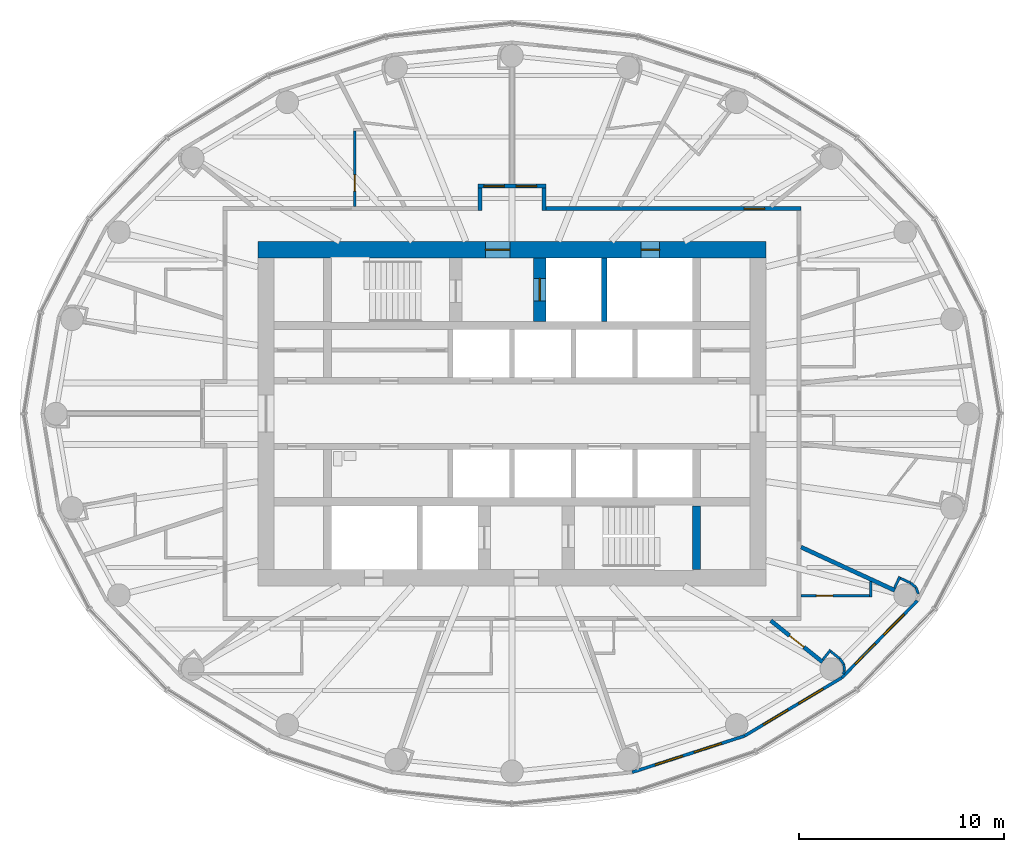
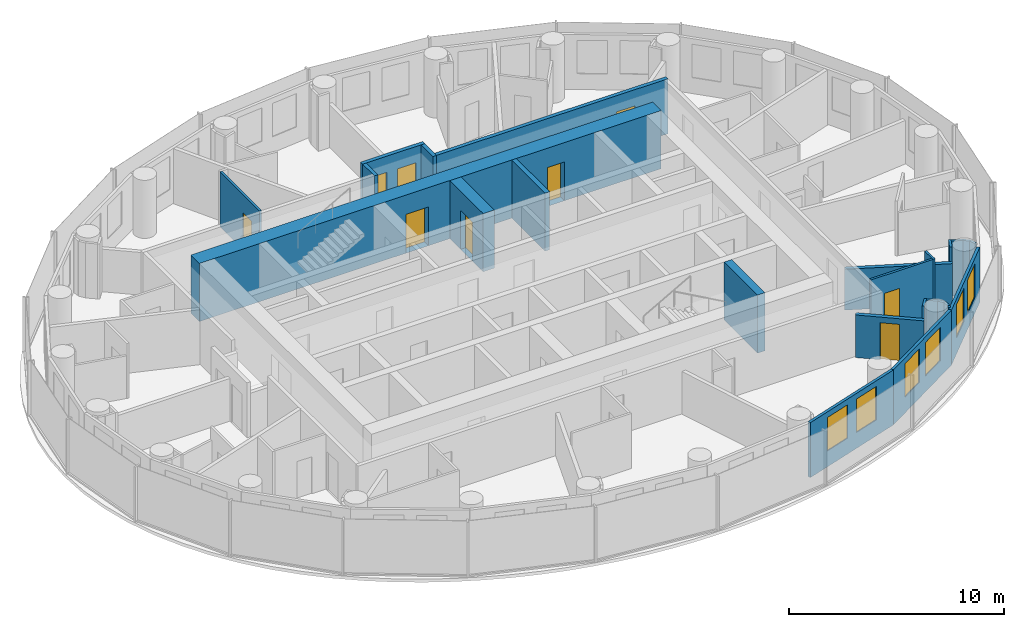
# One storey, part 10 of 16: 25 walls, 9 doors, 6 windows, 15 openings.
"""IFC4 building model written with IfcOpenShell, lengths in metres."""

from ifc_helpers import new_model, si_unit, direction, frame, frame_2d, origin, place, context, subcontext, project, spatial, rectangle, extrude, material, layer, layer_set, type_object, element, fill, save


model = new_model("IFC4")

# Units and contexts
model_context = context("Model", 3, precision=1e-05, world=origin(), true_north=direction((0.0, 1.0)))
body_context = subcontext(model_context, "Body", "Model", "MODEL_VIEW")
ifc_project = project(units=[si_unit("LENGTHUNIT", "METRE"), si_unit("AREAUNIT", "SQUARE_METRE"), si_unit("VOLUMEUNIT", "CUBIC_METRE"), si_unit("PLANEANGLEUNIT", "RADIAN"), si_unit("MASSUNIT", "GRAM", prefix="KILO")], contexts=[model_context])

# Site, building, storey
site_placement = place(None, origin())
site = spatial("IfcSite", under=ifc_project, at=site_placement, CompositionType="ELEMENT")
building_placement = place(site_placement, origin())
building = spatial("IfcBuilding", under=site, at=building_placement, Name="Hankou Lantern Tower", CompositionType="ELEMENT")
storey_placement = place(building_placement, frame((0.0, 0.0, 173.10009765625)))
storey = spatial("IfcBuildingStorey", under=building, at=storey_placement, Name="L46", CompositionType="ELEMENT", Elevation=173.10009765625)

# Wall, openings, doors
ifc_material_1 = material(Name="Concrete C60", Category="concrete")
ifc_layer_1 = layer(ifc_material_1, 0.800048828125)
ifc_layer_set_1 = layer_set([ifc_layer_1], Name="Concrete C60")
wall_type_1 = type_object("IfcWallType", Name="CW2 CORE WALL 800", PredefinedType="SHEAR", material=ifc_layer_set_1)
wall_1_placement = place(storey_placement, frame((-12.39990234375, 8.0, 0.0), z_axis=(0.0, 0.0, 1.0), x_axis=(1.0, 0.0, 0.0)))
wall_1 = element("IfcWall", 1, at=wall_1_placement, inside=storey, type_object=wall_type_1, Name="Core wall north L46", PredefinedType="SHEAR", context=body_context, shape_type="SweptSolid", body=[
    extrude(rectangle(XDim=24.7998046875, YDim=0.800048828125, at=frame_2d((12.39990234375, 0.0))), origin(), (0.0, 0.0, 1.0), 3.2998046875),
])
opening_1_placement = place(wall_1_placement, frame((11.10009765625, 0.0, 0.0)))
opening_1 = element("IfcOpeningElement", 2, at=opening_1_placement, cuts=wall_1, Name="Opening D5", PredefinedType="OPENING", context=body_context, shape_type="SweptSolid", body=[
    extrude(rectangle(XDim=1.199951171875, YDim=2.199951171875, at=frame_2d((0.60009765625, 1.10009765625))), frame((0.0, 0.409912109375, 0.0), z_axis=(0.0, -1.0, 0.0), x_axis=(1.0, 0.0, 0.0)), (0.0, 0.0, 1.0), 0.820068359375),
])
opening_2_placement = place(wall_1_placement, frame((18.699951171875, 0.0, 0.0)))
opening_2 = element("IfcOpeningElement", 3, at=opening_2_placement, cuts=wall_1, Name="Opening D7", PredefinedType="OPENING", context=body_context, shape_type="SweptSolid", body=[
    extrude(rectangle(XDim=0.89990234375, YDim=2.199951171875, at=frame_2d((0.449951171875, 1.10009765625))), frame((0.0, 0.409912109375, 0.0), z_axis=(0.0, -1.0, 0.0), x_axis=(1.0, 0.0, 0.0)), (0.0, 0.0, 1.0), 0.820068359375),
])
ifc_material_2 = material(Name="Steel door leaf", Category="steel")
door_type_1 = type_object("IfcDoorType", Name="D5 STAIR LOBBY DOOR 1200X2200", OperationType="SINGLE_SWING_LEFT", PredefinedType="DOOR", material=ifc_material_2)
door_1_placement = place(opening_1_placement, origin())
door_1 = element("IfcDoor", 4, at=door_1_placement, inside=storey, type_object=door_type_1, Name="Stair A lobby door", OperationType="SINGLE_SWING_LEFT", OverallHeight=2.199951171875, OverallWidth=1.199951171875, PredefinedType="DOOR", context=body_context, shape_type="SweptSolid", body=[
    extrude(rectangle(XDim=1.199951171875, YDim=2.199951171875, at=frame_2d((0.60009765625, 1.10009765625))), frame((0.0, 0.02490234375, 0.0), z_axis=(0.0, -1.0, 0.0), x_axis=(1.0, 0.0, 0.0)), (0.0, 0.0, 1.0), 0.050048828125),
])
fill(opening_1, door_1)
ifc_material_3 = material(Name="Steel door leaf", Category="steel")
door_type_2 = type_object("IfcDoorType", Name="D7 RISER DOOR 900X2200", OperationType="SINGLE_SWING_LEFT", PredefinedType="DOOR", material=ifc_material_3)
door_2_placement = place(opening_2_placement, origin())
door_2 = element("IfcDoor", 5, at=door_2_placement, inside=storey, type_object=door_type_2, Name="Riser N1 door", OperationType="SINGLE_SWING_RIGHT", OverallHeight=2.199951171875, OverallWidth=0.89990234375, PredefinedType="DOOR", context=body_context, shape_type="SweptSolid", body=[
    extrude(rectangle(XDim=0.89990234375, YDim=2.199951171875, at=frame_2d((0.449951171875, 1.10009765625))), frame((0.0, 0.02490234375, 0.0), z_axis=(0.0, -1.0, 0.0), x_axis=(1.0, 0.0, 0.0)), (0.0, 0.0, 1.0), 0.050048828125),
])
fill(opening_2, door_2)

# Wall
ifc_material_4 = material(Name="Concrete C60", Category="concrete")
ifc_layer_2 = layer(ifc_material_4, 0.39990234375)
ifc_layer_set_2 = layer_set([ifc_layer_2], Name="Concrete C60")
wall_type_2 = type_object("IfcWallType", Name="CW4 CORE CROSS WALL 400", PredefinedType="SHEAR", material=ifc_layer_set_2)
wall_2_placement = place(storey_placement, frame((9.0, -7.60009765625, 0.0), z_axis=(0.0, 0.0, 1.0), x_axis=(0.0, 1.0, 0.0)))
element("IfcWall", 6, at=wall_2_placement, inside=storey, type_object=wall_type_2, Name="Core strip wall L46", PredefinedType="SHEAR", context=body_context, shape_type="SweptSolid", body=[
    extrude(rectangle(XDim=3.10009765625, YDim=0.39990234375, at=frame_2d((1.550048828125, 0.0))), origin(), (0.0, 0.0, 1.0), 3.2998046875),
])

# Wall, opening, door
ifc_material_5 = material(Name="Concrete C60", Category="concrete")
ifc_layer_3 = layer(ifc_material_5, 0.60009765625)
ifc_layer_set_3 = layer_set([ifc_layer_3], Name="Concrete C60")
wall_type_3 = type_object("IfcWallType", Name="CW6 STAIR AND SHAFT WALL 600", PredefinedType="SHEAR", material=ifc_layer_set_3)
wall_3_placement = place(storey_placement, frame((1.35009765625, 4.5, 0.0), z_axis=(0.0, 0.0, 1.0), x_axis=(0.0, 1.0, 0.0)))
wall_3 = element("IfcWall", 7, at=wall_3_placement, inside=storey, type_object=wall_type_3, Name="Firefighting lift shaft wall L46", PredefinedType="SHEAR", context=body_context, shape_type="SweptSolid", body=[
    extrude(rectangle(XDim=3.10009765625, YDim=0.60009765625, at=frame_2d((1.550048828125, 0.0))), origin(), (0.0, 0.0, 1.0), 3.2998046875),
])
opening_3_placement = place(wall_3_placement, frame((1.0, 0.0, 0.0)))
opening_3 = element("IfcOpeningElement", 8, at=opening_3_placement, cuts=wall_3, Name="Opening LD2", PredefinedType="OPENING", context=body_context, shape_type="SweptSolid", body=[
    extrude(rectangle(XDim=1.10009765625, YDim=2.199951171875, at=frame_2d((0.550048828125, 1.10009765625))), frame((0.0, 0.31005859375, 0.0), z_axis=(0.0, -1.0, 0.0), x_axis=(1.0, 0.0, 0.0)), (0.0, 0.0, 1.0), 0.6201171875),
])
ifc_material_6 = material(Name="Steel door leaf", Category="steel")
door_type_3 = type_object("IfcDoorType", Name="LD2 FIREFIGHTING LIFT LANDING DOOR 1100X2200", OperationType="DOUBLE_DOOR_SLIDING", PredefinedType="DOOR", material=ifc_material_6)
door_3_placement = place(opening_3_placement, origin())
door_3 = element("IfcDoor", 9, at=door_3_placement, inside=storey, type_object=door_type_3, Name="Firefighting lift FL1 landing door", OperationType="DOUBLE_DOOR_SLIDING", OverallHeight=2.199951171875, OverallWidth=1.10009765625, PredefinedType="DOOR", context=body_context, shape_type="SweptSolid", body=[
    extrude(rectangle(XDim=1.10009765625, YDim=2.199951171875, at=frame_2d((0.550048828125, 1.10009765625))), frame((0.0, 0.02490234375, 0.0), z_axis=(0.0, -1.0, 0.0), x_axis=(1.0, 0.0, 0.0)), (0.0, 0.0, 1.0), 0.050048828125),
])
fill(opening_3, door_3)

# Wall, openings, windows
ifc_material_7 = material(Name="Aluminium spandrel panel on steel studs", Category="steel")
ifc_layer_4 = layer(ifc_material_7, 0.14990234375)
ifc_layer_set_4 = layer_set([ifc_layer_4], Name="Aluminium spandrel panel on steel studs")
wall_type_4 = type_object("IfcWallType", Name="EW1 INNER SKIN WALL 150", PredefinedType="ELEMENTEDWALL", material=ifc_layer_set_4)
wall_4_placement = place(storey_placement, frame((5.8603515625, -17.497314453125, 0.0), z_axis=(0.0, 0.0, 1.0), x_axis=(0.951432482129, 0.307857486429, 0.0)))
wall_4 = element("IfcWall", 10, at=wall_4_placement, inside=storey, type_object=wall_type_4, Name="Inner skin R20-R21 L46", PredefinedType="ELEMENTEDWALL", context=body_context, shape_type="SweptSolid", body=[
    extrude(rectangle(XDim=5.76611328125, YDim=0.14990234375, at=frame_2d((2.883056640625, 0.0))), origin(), (0.0, 0.0, 1.0), 3.119873046875),
])
opening_4_placement = place(wall_4_placement, frame((1.18310546875, 0.0, 0.89990234375)))
opening_4 = element("IfcOpeningElement", 11, at=opening_4_placement, cuts=wall_4, Name="Opening W3", PredefinedType="OPENING", context=body_context, shape_type="SweptSolid", body=[
    extrude(rectangle(XDim=1.39990234375, YDim=1.89990234375, at=frame_2d((0.699951171875, 0.949951171875))), frame((0.0, 0.0849609375, 0.0), z_axis=(0.0, -1.0, 0.0), x_axis=(1.0, 0.0, 0.0)), (0.0, 0.0, 1.0), 0.169921875),
])
opening_5_placement = place(wall_4_placement, frame((3.18310546875, 0.0, 0.89990234375)))
opening_5 = element("IfcOpeningElement", 12, at=opening_5_placement, cuts=wall_4, Name="Opening W3", PredefinedType="OPENING", context=body_context, shape_type="SweptSolid", body=[
    extrude(rectangle(XDim=1.39990234375, YDim=1.89990234375, at=frame_2d((0.699951171875, 0.949951171875))), frame((0.0, 0.0849609375, 0.0), z_axis=(0.0, -1.0, 0.0), x_axis=(1.0, 0.0, 0.0)), (0.0, 0.0, 1.0), 0.169921875),
])
ifc_material_8 = material(Name="Aluminium framed double glazed window", Category="aluminium")
window_type = type_object("IfcWindowType", Name="W3 GUEST ROOM WINDOW 1400X1900", PartitioningType="DOUBLE_PANEL_VERTICAL", PredefinedType="WINDOW", material=ifc_material_8)
window_1_placement = place(opening_4_placement, origin())
window_1 = element("IfcWindow", 13, at=window_1_placement, inside=storey, type_object=window_type, Name="Window R20.1 L46", OverallHeight=1.89990234375, OverallWidth=1.39990234375, PartitioningType="SINGLE_PANEL", PredefinedType="WINDOW", context=body_context, shape_type="SweptSolid", body=[
    extrude(rectangle(XDim=1.39990234375, YDim=1.89990234375, at=frame_2d((0.699951171875, 0.949951171875))), frame((0.0, 0.030029296875, 0.0), z_axis=(0.0, -1.0, 0.0), x_axis=(1.0, 0.0, 0.0)), (0.0, 0.0, 1.0), 0.06005859375),
])
fill(opening_4, window_1)
window_2_placement = place(opening_5_placement, origin())
window_2 = element("IfcWindow", 14, at=window_2_placement, inside=storey, type_object=window_type, Name="Window R20.2 L46", OverallHeight=1.89990234375, OverallWidth=1.39990234375, PartitioningType="SINGLE_PANEL", PredefinedType="WINDOW", context=body_context, shape_type="SweptSolid", body=[
    extrude(rectangle(XDim=1.39990234375, YDim=1.89990234375, at=frame_2d((0.699951171875, 0.949951171875))), frame((0.0, 0.030029296875, 0.0), z_axis=(0.0, -1.0, 0.0), x_axis=(1.0, 0.0, 0.0)), (0.0, 0.0, 1.0), 0.06005859375),
])
fill(opening_5, window_2)

wall_5_placement = place(storey_placement, frame((11.346435546875, -15.72216796875, 0.0), z_axis=(0.0, 0.0, 1.0), x_axis=(0.857695199231, 0.514158482587, 0.0)))
wall_5 = element("IfcWall", 15, at=wall_5_placement, inside=storey, type_object=wall_type_4, Name="Inner skin R21-R22 L46", PredefinedType="ELEMENTEDWALL", context=body_context, shape_type="SweptSolid", body=[
    extrude(rectangle(XDim=5.5361328125, YDim=0.14990234375, at=frame_2d((2.76806640625, 0.0))), origin(), (0.0, 0.0, 1.0), 3.119873046875),
])
opening_6_placement = place(wall_5_placement, frame((1.068115234375, 0.0, 0.89990234375)))
opening_6 = element("IfcOpeningElement", 16, at=opening_6_placement, cuts=wall_5, Name="Opening W3", PredefinedType="OPENING", context=body_context, shape_type="SweptSolid", body=[
    extrude(rectangle(XDim=1.39990234375, YDim=1.89990234375, at=frame_2d((0.699951171875, 0.949951171875))), frame((0.0, 0.0849609375, 0.0), z_axis=(0.0, -1.0, 0.0), x_axis=(1.0, 0.0, 0.0)), (0.0, 0.0, 1.0), 0.169921875),
])
opening_7_placement = place(wall_5_placement, frame((3.068115234375, 0.0, 0.89990234375)))
opening_7 = element("IfcOpeningElement", 17, at=opening_7_placement, cuts=wall_5, Name="Opening W3", PredefinedType="OPENING", context=body_context, shape_type="SweptSolid", body=[
    extrude(rectangle(XDim=1.39990234375, YDim=1.89990234375, at=frame_2d((0.699951171875, 0.949951171875))), frame((0.0, 0.0849609375, 0.0), z_axis=(0.0, -1.0, 0.0), x_axis=(1.0, 0.0, 0.0)), (0.0, 0.0, 1.0), 0.169921875),
])
window_3_placement = place(opening_6_placement, origin())
window_3 = element("IfcWindow", 18, at=window_3_placement, inside=storey, type_object=window_type, Name="Window R21.1 L46", OverallHeight=1.89990234375, OverallWidth=1.39990234375, PartitioningType="SINGLE_PANEL", PredefinedType="WINDOW", context=body_context, shape_type="SweptSolid", body=[
    extrude(rectangle(XDim=1.39990234375, YDim=1.89990234375, at=frame_2d((0.699951171875, 0.949951171875))), frame((0.0, 0.030029296875, 0.0), z_axis=(0.0, -1.0, 0.0), x_axis=(1.0, 0.0, 0.0)), (0.0, 0.0, 1.0), 0.06005859375),
])
fill(opening_6, window_3)
window_4_placement = place(opening_7_placement, origin())
window_4 = element("IfcWindow", 19, at=window_4_placement, inside=storey, type_object=window_type, Name="Window R21.2 L46", OverallHeight=1.89990234375, OverallWidth=1.39990234375, PartitioningType="SINGLE_PANEL", PredefinedType="WINDOW", context=body_context, shape_type="SweptSolid", body=[
    extrude(rectangle(XDim=1.39990234375, YDim=1.89990234375, at=frame_2d((0.699951171875, 0.949951171875))), frame((0.0, 0.030029296875, 0.0), z_axis=(0.0, -1.0, 0.0), x_axis=(1.0, 0.0, 0.0)), (0.0, 0.0, 1.0), 0.06005859375),
])
fill(opening_7, window_4)

wall_6_placement = place(storey_placement, frame((16.0947265625, -12.875732421875, 0.0), z_axis=(0.0, 0.0, 1.0), x_axis=(0.700727467776, 0.71342905457, 0.0)))
wall_6 = element("IfcWall", 20, at=wall_6_placement, inside=storey, type_object=wall_type_4, Name="Inner skin R22-R23 L46", PredefinedType="ELEMENTEDWALL", context=body_context, shape_type="SweptSolid", body=[
    extrude(rectangle(XDim=5.247314453125, YDim=0.14990234375, at=frame_2d((2.62353515625, 0.0))), origin(), (0.0, 0.0, 1.0), 3.119873046875),
])
opening_8_placement = place(wall_6_placement, frame((0.923583984375, 0.0, 0.89990234375)))
opening_8 = element("IfcOpeningElement", 21, at=opening_8_placement, cuts=wall_6, Name="Opening W3", PredefinedType="OPENING", context=body_context, shape_type="SweptSolid", body=[
    extrude(rectangle(XDim=1.39990234375, YDim=1.89990234375, at=frame_2d((0.699951171875, 0.949951171875))), frame((0.0, 0.0849609375, 0.0), z_axis=(0.0, -1.0, 0.0), x_axis=(1.0, 0.0, 0.0)), (0.0, 0.0, 1.0), 0.169921875),
])
opening_9_placement = place(wall_6_placement, frame((2.923583984375, 0.0, 0.89990234375)))
opening_9 = element("IfcOpeningElement", 22, at=opening_9_placement, cuts=wall_6, Name="Opening W3", PredefinedType="OPENING", context=body_context, shape_type="SweptSolid", body=[
    extrude(rectangle(XDim=1.39990234375, YDim=1.89990234375, at=frame_2d((0.699951171875, 0.949951171875))), frame((0.0, 0.0849609375, 0.0), z_axis=(0.0, -1.0, 0.0), x_axis=(1.0, 0.0, 0.0)), (0.0, 0.0, 1.0), 0.169921875),
])
window_5_placement = place(opening_8_placement, origin())
window_5 = element("IfcWindow", 23, at=window_5_placement, inside=storey, type_object=window_type, Name="Window R22.1 L46", OverallHeight=1.89990234375, OverallWidth=1.39990234375, PartitioningType="SINGLE_PANEL", PredefinedType="WINDOW", context=body_context, shape_type="SweptSolid", body=[
    extrude(rectangle(XDim=1.39990234375, YDim=1.89990234375, at=frame_2d((0.699951171875, 0.949951171875))), frame((0.0, 0.030029296875, 0.0), z_axis=(0.0, -1.0, 0.0), x_axis=(1.0, 0.0, 0.0)), (0.0, 0.0, 1.0), 0.06005859375),
])
fill(opening_8, window_5)
window_6_placement = place(opening_9_placement, origin())
window_6 = element("IfcWindow", 24, at=window_6_placement, inside=storey, type_object=window_type, Name="Window R22.2 L46", OverallHeight=1.89990234375, OverallWidth=1.39990234375, PartitioningType="SINGLE_PANEL", PredefinedType="WINDOW", context=body_context, shape_type="SweptSolid", body=[
    extrude(rectangle(XDim=1.39990234375, YDim=1.89990234375, at=frame_2d((0.699951171875, 0.949951171875))), frame((0.0, 0.030029296875, 0.0), z_axis=(0.0, -1.0, 0.0), x_axis=(1.0, 0.0, 0.0)), (0.0, 0.0, 1.0), 0.06005859375),
])
fill(opening_9, window_6)

# Wall
ifc_material_9 = material(Name="Masonry lightweight concrete block", Category="masonry")
ifc_layer_5 = layer(ifc_material_9, 0.199951171875)
ifc_layer_set_5 = layer_set([ifc_layer_5], Name="Masonry lightweight concrete block")
wall_type_5 = type_object("IfcWallType", Name="IW1 GUEST ROOM PARTY WALL 200", PredefinedType="PARTITIONING", material=ifc_layer_set_5)
wall_7_placement = place(storey_placement, frame((14.10009765625, -6.512451171875, 0.0), z_axis=(0.0, 0.0, 1.0), x_axis=(0.907823150669, -0.419353224751, 0.0)))
element("IfcWall", 25, at=wall_7_placement, inside=storey, type_object=wall_type_5, Name="Party wall R23", PredefinedType="PARTITIONING", context=body_context, shape_type="SweptSolid", body=[
    extrude(rectangle(XDim=5.037109375, YDim=0.199951171875, at=frame_2d((2.5185546875, 0.0))), origin(), (0.0, 0.0, 1.0), 2.31982421875),
])

# Wall, openings, doors
ifc_material_10 = material(Name="Masonry lightweight concrete block", Category="masonry")
ifc_layer_6 = layer(ifc_material_10, 0.199951171875)
ifc_layer_set_6 = layer_set([ifc_layer_6], Name="Masonry lightweight concrete block")
wall_type_6 = type_object("IfcWallType", Name="IW2 CORRIDOR WALL 200", PredefinedType="PARTITIONING", material=ifc_layer_set_6)
wall_8_placement = place(storey_placement, frame((-1.669921875, 11.10009765625, 0.0), z_axis=(0.0, 0.0, 1.0), x_axis=(1.0, 0.0, 0.0)))
wall_8 = element("IfcWall", 26, at=wall_8_placement, inside=storey, type_object=wall_type_6, Name="Corridor alcove wall 4608-4609 back", PredefinedType="PARTITIONING", context=body_context, shape_type="SweptSolid", body=[
    extrude(rectangle(XDim=3.33984375, YDim=0.199951171875, at=frame_2d((1.669921875, 0.0))), origin(), (0.0, 0.0, 1.0), 3.119873046875),
])
opening_10_placement = place(wall_8_placement, frame((1.8701171875, 0.0, 0.0)))
opening_10 = element("IfcOpeningElement", 27, at=opening_10_placement, cuts=wall_8, Name="Opening D1", PredefinedType="OPENING", context=body_context, shape_type="SweptSolid", body=[
    extrude(rectangle(XDim=1.0, YDim=2.199951171875, at=frame_2d((0.5, 1.10009765625))), frame((0.0, 0.10986328125, 0.0), z_axis=(0.0, -1.0, 0.0), x_axis=(1.0, 0.0, 0.0)), (0.0, 0.0, 1.0), 0.219970703125),
])
opening_11_placement = place(wall_8_placement, frame((0.300048828125, 0.0, 0.0)))
opening_11 = element("IfcOpeningElement", 28, at=opening_11_placement, cuts=wall_8, Name="Opening D1", PredefinedType="OPENING", context=body_context, shape_type="SweptSolid", body=[
    extrude(rectangle(XDim=1.0, YDim=2.199951171875, at=frame_2d((0.5, 1.10009765625))), frame((0.0, 0.10986328125, 0.0), z_axis=(0.0, -1.0, 0.0), x_axis=(1.0, 0.0, 0.0)), (0.0, 0.0, 1.0), 0.219970703125),
])
ifc_material_11 = material(Name="Steel door leaf", Category="steel")
door_type_4 = type_object("IfcDoorType", Name="D1 GUEST ROOM DOOR 1000X2200", OperationType="SINGLE_SWING_LEFT", PredefinedType="DOOR", material=ifc_material_11)
door_4_placement = place(opening_10_placement, origin())
door_4 = element("IfcDoor", 29, at=door_4_placement, inside=storey, type_object=door_type_4, Name="Guest room door 4608", OperationType="SINGLE_SWING_LEFT", OverallHeight=2.199951171875, OverallWidth=1.0, PredefinedType="DOOR", context=body_context, shape_type="SweptSolid", body=[
    extrude(rectangle(XDim=1.0, YDim=2.199951171875, at=frame_2d((0.5, 1.10009765625))), frame((0.0, 0.02490234375, 0.0), z_axis=(0.0, -1.0, 0.0), x_axis=(1.0, 0.0, 0.0)), (0.0, 0.0, 1.0), 0.050048828125),
])
fill(opening_10, door_4)
door_5_placement = place(opening_11_placement, origin())
door_5 = element("IfcDoor", 30, at=door_5_placement, inside=storey, type_object=door_type_4, Name="Guest room door 4609", OperationType="SINGLE_SWING_RIGHT", OverallHeight=2.199951171875, OverallWidth=1.0, PredefinedType="DOOR", context=body_context, shape_type="SweptSolid", body=[
    extrude(rectangle(XDim=1.0, YDim=2.199951171875, at=frame_2d((0.5, 1.10009765625))), frame((0.0, 0.02490234375, 0.0), z_axis=(0.0, -1.0, 0.0), x_axis=(1.0, 0.0, 0.0)), (0.0, 0.0, 1.0), 0.050048828125),
])
fill(opening_11, door_5)

# Walls
for number, where, z_axis, x_axis, name in (
    (31, (-1.570068359375, 9.89990234375, 0.0), (0.0, 0.0, 1.0), (0.0, 1.0, 0.0), "Corridor alcove wall 4608-4609 left"),
    (32, (1.570068359375, 9.89990234375, 0.0), (0.0, 0.0, 1.0), (0.0, 1.0, 0.0), "Corridor alcove wall 4608-4609 right"),
):
    element("IfcWall", number, at=place(storey_placement, frame(where, z_axis=z_axis, x_axis=x_axis)), inside=storey, type_object=wall_type_6, Name=name, PredefinedType="PARTITIONING", context=body_context, shape_type="SweptSolid", body=[
        extrude(rectangle(XDim=1.10009765625, YDim=0.199951171875, at=frame_2d((0.550048828125, 0.0))), origin(), (0.0, 0.0, 1.0), 3.119873046875),
    ])

# Wall, opening, door
wall_9_placement = place(storey_placement, frame((1.669921875, 10.0, 0.0), z_axis=(0.0, 0.0, 1.0), x_axis=(1.0, 0.0, 0.0)))
wall_9 = element("IfcWall", 33, at=wall_9_placement, inside=storey, type_object=wall_type_6, Name="Corridor wall north", PredefinedType="PARTITIONING", context=body_context, shape_type="SweptSolid", body=[
    extrude(rectangle(XDim=12.43017578125, YDim=0.199951171875, at=frame_2d((6.215087890625, 0.0))), origin(), (0.0, 0.0, 1.0), 3.119873046875),
])
opening_12_placement = place(wall_9_placement, frame((9.655029296875, 0.0, 0.0)))
opening_12 = element("IfcOpeningElement", 34, at=opening_12_placement, cuts=wall_9, Name="Opening D1", PredefinedType="OPENING", context=body_context, shape_type="SweptSolid", body=[
    extrude(rectangle(XDim=1.0, YDim=2.199951171875, at=frame_2d((0.5, 1.10009765625))), frame((0.0, 0.10986328125, 0.0), z_axis=(0.0, -1.0, 0.0), x_axis=(1.0, 0.0, 0.0)), (0.0, 0.0, 1.0), 0.219970703125),
])
door_6_placement = place(opening_12_placement, origin())
door_6 = element("IfcDoor", 35, at=door_6_placement, inside=storey, type_object=door_type_4, Name="Guest room door 4607", OperationType="SINGLE_SWING_LEFT", OverallHeight=2.199951171875, OverallWidth=1.0, PredefinedType="DOOR", context=body_context, shape_type="SweptSolid", body=[
    extrude(rectangle(XDim=1.0, YDim=2.199951171875, at=frame_2d((0.5, 1.10009765625))), frame((0.0, 0.02490234375, 0.0), z_axis=(0.0, -1.0, 0.0), x_axis=(1.0, 0.0, 0.0)), (0.0, 0.0, 1.0), 0.050048828125),
])
fill(opening_12, door_6)

# Wall
ifc_material_12 = material(Name="Masonry lightweight concrete block", Category="masonry")
ifc_layer_7 = layer(ifc_material_12, 0.1201171875)
ifc_layer_set_7 = layer_set([ifc_layer_7], Name="Masonry lightweight concrete block")
wall_type_7 = type_object("IfcWallType", Name="IW3 BATHROOM WALL 120", PredefinedType="PARTITIONING", material=ifc_layer_set_7)
wall_10_placement = place(storey_placement, frame((17.5, -8.182861328125, 0.0), z_axis=(0.0, 0.0, 1.0), x_axis=(0.0, -1.0, 0.0)))
element("IfcWall", 36, at=wall_10_placement, inside=storey, type_object=wall_type_7, Name="Box wall 4603A 1", PredefinedType="PARTITIONING", context=body_context, shape_type="SweptSolid", body=[
    extrude(rectangle(XDim=0.76953125, YDim=0.1201171875, at=frame_2d((0.384765625, 0.0))), origin(), (0.0, 0.0, 1.0), 3.119873046875),
])

# Wall, opening, door
wall_11_placement = place(storey_placement, frame((14.10009765625, -8.892578125, 0.0), z_axis=(0.0, 0.0, 1.0), x_axis=(1.0, 0.0, 0.0)))
wall_11 = element("IfcWall", 37, at=wall_11_placement, inside=storey, type_object=wall_type_7, Name="Box wall 4603A 1", PredefinedType="PARTITIONING", context=body_context, shape_type="SweptSolid", body=[
    extrude(rectangle(XDim=3.33984375, YDim=0.1201171875, at=frame_2d((1.669921875, 0.0))), origin(), (0.0, 0.0, 1.0), 3.119873046875),
])
opening_13_placement = place(wall_11_placement, frame((0.75, 0.0, 0.0)))
opening_13 = element("IfcOpeningElement", 38, at=opening_13_placement, cuts=wall_11, Name="Opening D3", PredefinedType="OPENING", context=body_context, shape_type="SweptSolid", body=[
    extrude(rectangle(XDim=0.800048828125, YDim=2.10009765625, at=frame_2d((0.39990234375, 1.050048828125))), frame((0.0, 0.070068359375, 0.0), z_axis=(0.0, -1.0, 0.0), x_axis=(1.0, 0.0, 0.0)), (0.0, 0.0, 1.0), 0.14013671875),
])
ifc_material_13 = material(Name="Timber door leaf", Category="wood")
door_type_5 = type_object("IfcDoorType", Name="D3 BATHROOM DOOR 800X2100", OperationType="SINGLE_SWING_LEFT", PredefinedType="DOOR", material=ifc_material_13)
door_7_placement = place(opening_13_placement, origin())
door_7 = element("IfcDoor", 39, at=door_7_placement, inside=storey, type_object=door_type_5, Name="Corner suite 4603 bathroom door", OperationType="SINGLE_SWING_LEFT", OverallHeight=2.10009765625, OverallWidth=0.800048828125, PredefinedType="DOOR", context=body_context, shape_type="SweptSolid", body=[
    extrude(rectangle(XDim=0.800048828125, YDim=2.10009765625, at=frame_2d((0.39990234375, 1.050048828125))), frame((0.0, 0.02490234375, 0.0), z_axis=(0.0, -1.0, 0.0), x_axis=(1.0, 0.0, 0.0)), (0.0, 0.0, 1.0), 0.050048828125),
])
fill(opening_13, door_7)

wall_12_placement = place(storey_placement, frame((-7.670166015625, 10.10009765625, 0.0), z_axis=(0.0, 0.0, 1.0), x_axis=(0.0, 1.0, 0.0)))
wall_12 = element("IfcWall", 40, at=wall_12_placement, inside=storey, type_object=wall_type_7, Name="Box wall 4610 1", PredefinedType="PARTITIONING", context=body_context, shape_type="SweptSolid", body=[
    extrude(rectangle(XDim=3.68994140625, YDim=0.1201171875, at=frame_2d((1.844970703125, 0.0))), origin(), (0.0, 0.0, 1.0), 3.119873046875),
])
opening_14_placement = place(wall_12_placement, frame((0.75, 0.0, 0.0)))
opening_14 = element("IfcOpeningElement", 41, at=opening_14_placement, cuts=wall_12, Name="Opening D3", PredefinedType="OPENING", context=body_context, shape_type="SweptSolid", body=[
    extrude(rectangle(XDim=0.800048828125, YDim=2.10009765625, at=frame_2d((0.39990234375, 1.050048828125))), frame((0.0, 0.070068359375, 0.0), z_axis=(0.0, -1.0, 0.0), x_axis=(1.0, 0.0, 0.0)), (0.0, 0.0, 1.0), 0.14013671875),
])
door_8_placement = place(opening_14_placement, origin())
door_8 = element("IfcDoor", 42, at=door_8_placement, inside=storey, type_object=door_type_5, Name="En-suite bathroom 4610 door", OperationType="SINGLE_SWING_LEFT", OverallHeight=2.10009765625, OverallWidth=0.800048828125, PredefinedType="DOOR", context=body_context, shape_type="SweptSolid", body=[
    extrude(rectangle(XDim=0.800048828125, YDim=2.10009765625, at=frame_2d((0.39990234375, 1.050048828125))), frame((0.0, 0.02490234375, 0.0), z_axis=(0.0, -1.0, 0.0), x_axis=(1.0, 0.0, 0.0)), (0.0, 0.0, 1.0), 0.050048828125),
])
fill(opening_14, door_8)

# Walls
ifc_material_14 = material(Name="Masonry lightweight concrete block", Category="masonry")
ifc_layer_8 = layer(ifc_material_14, 0.1201171875)
ifc_layer_set_8 = layer_set([ifc_layer_8], Name="Masonry lightweight concrete block")
wall_type_8 = type_object("IfcWallType", Name="IW4 PARTITION 120", PredefinedType="PARTITIONING", material=ifc_layer_set_8)
wall_13_placement = place(storey_placement, frame((15.162353515625, -12.001708984375, 0.0), z_axis=(0.0, 0.0, 1.0), x_axis=(0.624597762427, 0.780946627607, 0.0)))
element("IfcWall", 43, at=wall_13_placement, inside=storey, type_object=wall_type_8, Name="Column casing R22 return", PredefinedType="PARTITIONING", context=body_context, shape_type="SweptSolid", body=[
    extrude(rectangle(XDim=0.612060546875, YDim=0.1201171875, at=frame_2d((0.30615234375, 0.0))), origin(), (0.0, 0.0, 1.0), 3.119873046875),
])
wall_14_placement = place(storey_placement, frame((15.55419921875, -11.60791015625, 0.0), z_axis=(0.0, 0.0, 1.0), x_axis=(0.780695577787, -0.624911525597, 0.0)))
element("IfcWall", 44, at=wall_14_placement, inside=storey, type_object=wall_type_8, Name="Column casing R22", PredefinedType="PARTITIONING", context=body_context, shape_type="SweptSolid", body=[
    extrude(rectangle(XDim=0.550048828125, YDim=0.1201171875, at=frame_2d((0.27490234375, 0.0))), origin(), (0.0, 0.0, 1.0), 3.119873046875),
])
wall_15_placement = place(storey_placement, frame((15.983642578125, -11.95166015625, 0.0), z_axis=(0.0, 0.0, 1.0), x_axis=(0.592335221171, -0.805691619517, 0.0)))
element("IfcWall", 45, at=wall_15_placement, inside=storey, type_object=wall_type_8, Name="Column casing R22", PredefinedType="PARTITIONING", context=body_context, shape_type="SweptSolid", body=[
    extrude(rectangle(XDim=0.337646484375, YDim=0.1201171875, at=frame_2d((0.1689453125, 0.0))), origin(), (0.0, 0.0, 1.0), 3.119873046875),
])
wall_16_placement = place(storey_placement, frame((16.18359375, -12.2236328125, 0.0), z_axis=(0.0, 0.0, 1.0), x_axis=(0.110669692975, -0.993857242795, 0.0)))
element("IfcWall", 46, at=wall_16_placement, inside=storey, type_object=wall_type_8, Name="Column casing R22", PredefinedType="PARTITIONING", context=body_context, shape_type="SweptSolid", body=[
    extrude(rectangle(XDim=0.33740234375, YDim=0.1201171875, at=frame_2d((0.168701171875, 0.0))), origin(), (0.0, 0.0, 1.0), 3.119873046875),
])
wall_17_placement = place(storey_placement, frame((16.220947265625, -12.55908203125, 0.0), z_axis=(0.0, 0.0, 1.0), x_axis=(-0.401064416249, -0.916049853457, 0.0)))
element("IfcWall", 47, at=wall_17_placement, inside=storey, type_object=wall_type_8, Name="Column casing R22", PredefinedType="PARTITIONING", context=body_context, shape_type="SweptSolid", body=[
    extrude(rectangle(XDim=0.156494140625, YDim=0.1201171875, at=frame_2d((0.078125, 0.0))), origin(), (0.0, 0.0, 1.0), 3.119873046875),
])
wall_18_placement = place(storey_placement, frame((18.660400390625, -8.5087890625, 0.0), z_axis=(0.0, 0.0, 1.0), x_axis=(0.419083463716, 0.907947713494, 0.0)))
element("IfcWall", 48, at=wall_18_placement, inside=storey, type_object=wall_type_8, Name="Column casing R23 return", PredefinedType="PARTITIONING", context=body_context, shape_type="SweptSolid", body=[
    extrude(rectangle(XDim=0.6123046875, YDim=0.1201171875, at=frame_2d((0.30615234375, 0.0))), origin(), (0.0, 0.0, 1.0), 3.119873046875),
])
wall_19_placement = place(storey_placement, frame((18.9462890625, -8.032470703125, 0.0), z_axis=(0.0, 0.0, 1.0), x_axis=(0.907842467956, -0.419311403822, 0.0)))
element("IfcWall", 49, at=wall_19_placement, inside=storey, type_object=wall_type_8, Name="Column casing R23", PredefinedType="PARTITIONING", context=body_context, shape_type="SweptSolid", body=[
    extrude(rectangle(XDim=0.55029296875, YDim=0.1201171875, at=frame_2d((0.275146484375, 0.0))), origin(), (0.0, 0.0, 1.0), 3.119873046875),
])
wall_20_placement = place(storey_placement, frame((19.44580078125, -8.26318359375, 0.0), z_axis=(0.0, 0.0, 1.0), x_axis=(0.768221279597, -0.640184399664, 0.0)))
element("IfcWall", 50, at=wall_20_placement, inside=storey, type_object=wall_type_8, Name="Column casing R23", PredefinedType="PARTITIONING", context=body_context, shape_type="SweptSolid", body=[
    extrude(rectangle(XDim=0.33740234375, YDim=0.1201171875, at=frame_2d((0.168701171875, 0.0))), origin(), (0.0, 0.0, 1.0), 3.119873046875),
])
wall_21_placement = place(storey_placement, frame((19.705078125, -8.479248046875, 0.0), z_axis=(0.0, 0.0, 1.0), x_axis=(0.345571344575, -0.938392479621, 0.0)))
element("IfcWall", 51, at=wall_21_placement, inside=storey, type_object=wall_type_8, Name="Column casing R23", PredefinedType="PARTITIONING", context=body_context, shape_type="SweptSolid", body=[
    extrude(rectangle(XDim=0.337646484375, YDim=0.1201171875, at=frame_2d((0.1689453125, 0.0))), origin(), (0.0, 0.0, 1.0), 3.119873046875),
])

# Wall, opening, door
ifc_material_15 = material(Name="Masonry lightweight concrete block", Category="masonry")
ifc_layer_9 = layer(ifc_material_15, 0.199951171875)
ifc_layer_set_9 = layer_set([ifc_layer_9], Name="Masonry lightweight concrete block")
wall_type_9 = type_object("IfcWallType", Name="IW6 SUITE PARTITION 200", PredefinedType="PARTITIONING", material=ifc_layer_set_9)
wall_22_placement = place(storey_placement, frame((12.625, -10.10009765625, 0.0), z_axis=(0.0, 0.0, 1.0), x_axis=(0.780876185034, -0.624685827954, 0.0)))
wall_22 = element("IfcWall", 52, at=wall_22_placement, inside=storey, type_object=wall_type_9, Name="Suite partition R22", PredefinedType="PARTITIONING", context=body_context, shape_type="SweptSolid", body=[
    extrude(rectangle(XDim=3.229248046875, YDim=0.199951171875, at=frame_2d((1.61474609375, 0.0))), origin(), (0.0, 0.0, 1.0), 2.419921875),
])
opening_15_placement = place(wall_22_placement, frame((1.169921875, 0.0, 0.0)))
opening_15 = element("IfcOpeningElement", 53, at=opening_15_placement, cuts=wall_22, Name="Opening D27", PredefinedType="OPENING", context=body_context, shape_type="SweptSolid", body=[
    extrude(rectangle(XDim=0.89990234375, YDim=2.10009765625, at=frame_2d((0.449951171875, 1.050048828125))), frame((0.0, 0.10986328125, 0.0), z_axis=(0.0, -1.0, 0.0), x_axis=(1.0, 0.0, 0.0)), (0.0, 0.0, 1.0), 0.219970703125),
])
ifc_material_16 = material(Name="Timber door leaf", Category="wood")
door_type_6 = type_object("IfcDoorType", Name="D27 INTERNAL DOOR 900X2100", OperationType="SINGLE_SWING_LEFT", PredefinedType="DOOR", material=ifc_material_16)
door_9_placement = place(opening_15_placement, origin())
door_9 = element("IfcDoor", 54, at=door_9_placement, inside=storey, type_object=door_type_6, Name="Corner suite 4603 bedroom door", OperationType="SINGLE_SWING_LEFT", OverallHeight=2.10009765625, OverallWidth=0.89990234375, PredefinedType="DOOR", context=body_context, shape_type="SweptSolid", body=[
    extrude(rectangle(XDim=0.89990234375, YDim=2.10009765625, at=frame_2d((0.449951171875, 1.050048828125))), frame((0.0, 0.02490234375, 0.0), z_axis=(0.0, -1.0, 0.0), x_axis=(1.0, 0.0, 0.0)), (0.0, 0.0, 1.0), 0.050048828125),
])
fill(opening_15, door_9)

# Wall
ifc_material_17 = material(Name="Masonry autoclaved aerated concrete block", Category="masonry")
ifc_layer_10 = layer(ifc_material_17, 0.25)
ifc_layer_set_10 = layer_set([ifc_layer_10], Name="Masonry autoclaved aerated concrete block")
wall_type_10 = type_object("IfcWallType", Name="SW1 SHAFT BLOCK WALL 250", PredefinedType="PARTITIONING", material=ifc_layer_set_10)
wall_23_placement = place(storey_placement, frame((4.5, 4.5, 0.0), z_axis=(0.0, 0.0, 1.0), x_axis=(0.0, 1.0, 0.0)))
element("IfcWall", 55, at=wall_23_placement, inside=storey, type_object=wall_type_10, Name="Riser wall L46", PredefinedType="PARTITIONING", context=body_context, shape_type="SweptSolid", body=[
    extrude(rectangle(XDim=3.10009765625, YDim=0.25, at=frame_2d((1.550048828125, 0.0))), origin(), (0.0, 0.0, 1.0), 3.2998046875),
])

save(model, "model.ifc")
